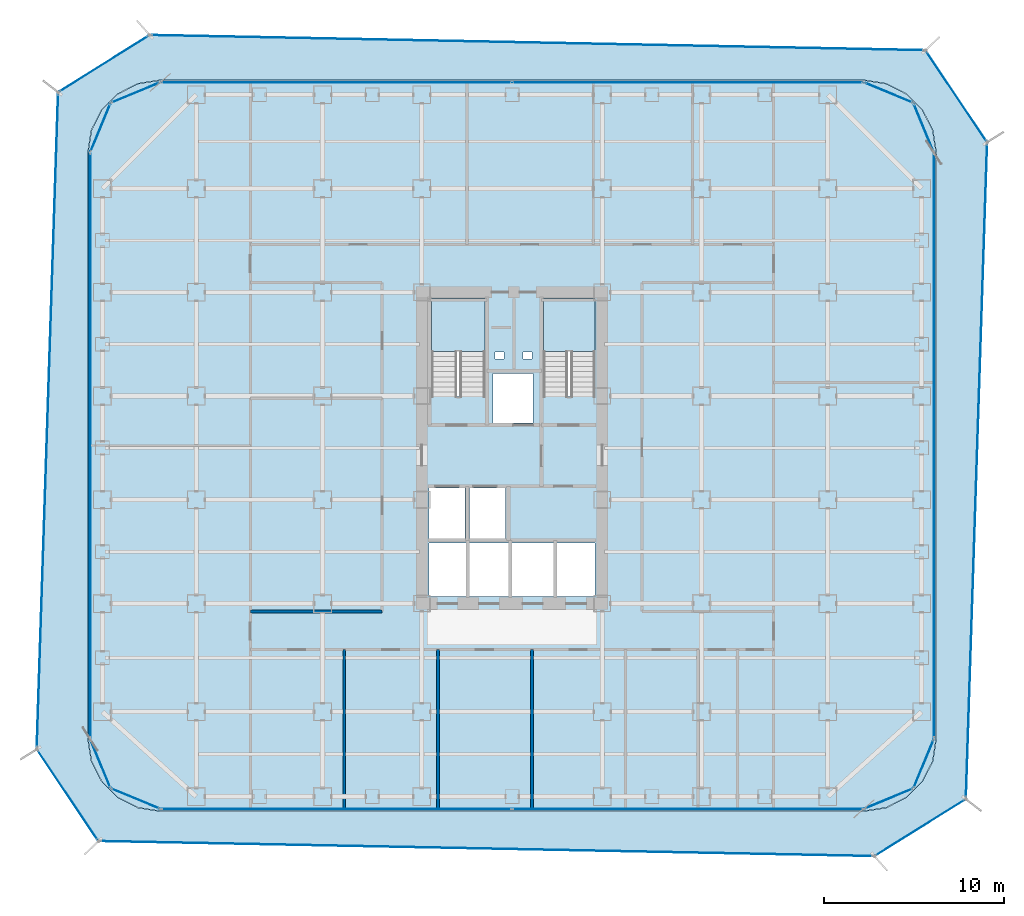
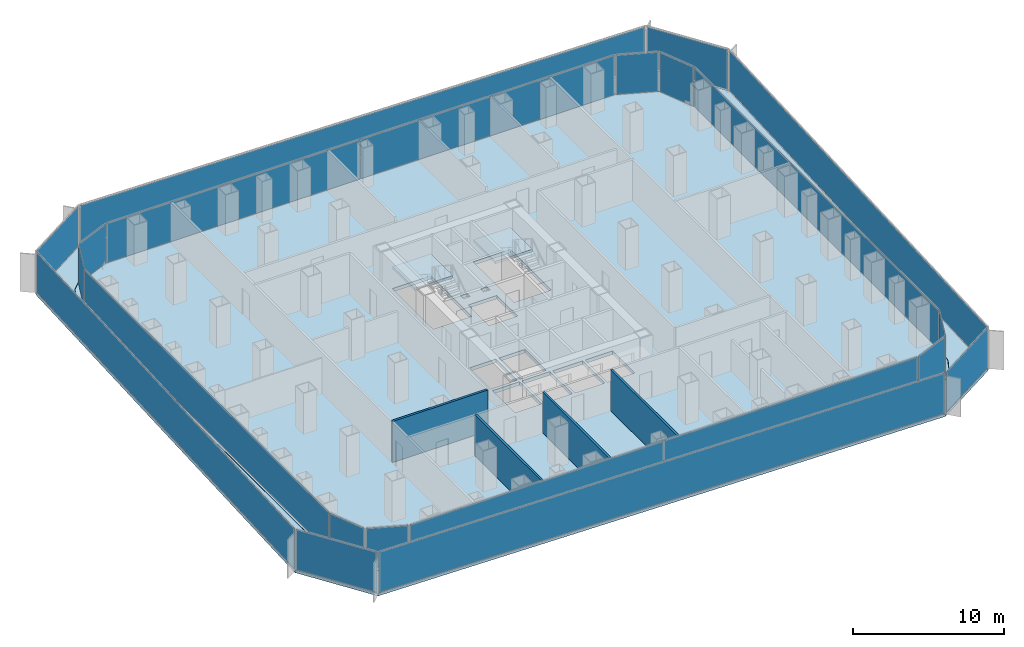
# One storey, part 16 of 22: 22 plates, 4 slabs, 4 walls, 22 elements without a shape of their own.
"""IFC4 building model written with IfcOpenShell, lengths in metres."""

from ifc_helpers import new_model, si_unit, direction, frame, frame_2d, origin, origin_2d, place, context, subcontext, project, spatial, polyline, rectangle, outline, extrude, source, transform, mapped, material, layer, layer_set, type_object, element, aggregate, save


model = new_model("IFC4")

# Units and contexts
model_context = context("Model", 3, precision=1e-05, world=origin(), true_north=direction((0.0, 1.0)))
body_context = subcontext(model_context, "Body", "Model", "MODEL_VIEW")
ifc_project = project(units=[si_unit("LENGTHUNIT", "METRE"), si_unit("AREAUNIT", "SQUARE_METRE"), si_unit("VOLUMEUNIT", "CUBIC_METRE"), si_unit("PLANEANGLEUNIT", "RADIAN"), si_unit("MASSUNIT", "GRAM", prefix="KILO")], contexts=[model_context])

# Site, building, storey
site_placement = place(None, origin())
site = spatial("IfcSite", under=ifc_project, at=site_placement, CompositionType="ELEMENT")
building_placement = place(site_placement, origin())
building = spatial("IfcBuilding", under=site, at=building_placement, Name="Kolveth Station Tower", CompositionType="ELEMENT")
storey_placement = place(building_placement, frame((0.0, 0.0, 51.300048828125)))
storey = spatial("IfcBuildingStorey", under=building, at=storey_placement, Name="L13", CompositionType="ELEMENT", Elevation=51.300048828125)

# Slab
ifc_material_1 = material(Name="Concrete C45/55", Category="concrete")
ifc_layer_1 = layer(ifc_material_1, 0.280029296875)
ifc_layer_set_1 = layer_set([ifc_layer_1], Name="Concrete C45/55")
slab_type_1 = type_object("IfcSlabType", Name="Slab_SF-280", PredefinedType="FLOOR", material=ifc_layer_set_1)
slab_1_placement = place(storey_placement, frame((0.0, 0.0, -0.280029296875)))
element("IfcSlab", 1, at=slab_1_placement, inside=storey, type_object=slab_type_1, Name="L13 Tower Structural Floor Slab", PredefinedType="FLOOR", context=body_context, shape_type="SweptSolid", body=[
    extrude(outline(polyline([(43.0, 0.0), (44.236083984375, 0.19580078125), (45.35107421875, 0.763916015625), (46.236083984375, 1.64892578125), (46.80419921875, 2.763916015625), (47.0, 4.0), (47.0, 36.5), (46.80419921875, 37.736083984375), (46.236083984375, 38.85107421875), (45.35107421875, 39.736083984375), (44.236083984375, 40.30419921875), (43.0, 40.5), (4.0, 40.5), (2.763916015625, 40.30419921875), (1.64892578125, 39.736083984375), (0.763916015625, 38.85107421875), (0.19580078125, 37.736083984375), (0.0, 36.5), (0.0, 4.0), (0.19580078125, 2.763916015625), (0.763916015625, 1.64892578125), (1.64892578125, 0.763916015625), (2.763916015625, 0.19580078125), (4.0, 0.0), (43.0, 0.0)]), holes=[polyline([(19.0400390625, 22.985107421875), (22.0, 22.985107421875), (22.0, 28.39990234375), (19.0400390625, 28.39990234375), (19.0400390625, 22.985107421875)]), polyline([(25.239990234375, 22.985107421875), (28.10009765625, 22.985107421875), (28.10009765625, 28.39990234375), (25.239990234375, 28.39990234375), (25.239990234375, 22.985107421875)]), polyline([(18.89990234375, 15.10009765625), (20.89990234375, 15.10009765625), (20.89990234375, 17.89990234375), (18.89990234375, 17.89990234375), (18.89990234375, 15.10009765625)]), polyline([(21.14990234375, 15.10009765625), (23.14990234375, 15.10009765625), (23.14990234375, 17.89990234375), (21.14990234375, 17.89990234375), (21.14990234375, 15.10009765625)]), polyline([(22.449951171875, 21.5), (24.64990234375, 21.5), (24.64990234375, 24.25), (22.449951171875, 24.25), (22.449951171875, 21.5)]), polyline([(18.89990234375, 11.89990234375), (20.949951171875, 11.89990234375), (20.949951171875, 14.85009765625), (18.89990234375, 14.85009765625), (18.89990234375, 11.89990234375)]), polyline([(21.14990234375, 11.89990234375), (23.300048828125, 11.89990234375), (23.300048828125, 14.85009765625), (21.14990234375, 14.85009765625), (21.14990234375, 11.89990234375)]), polyline([(23.5, 11.89990234375), (25.800048828125, 11.89990234375), (25.800048828125, 14.85009765625), (23.5, 14.85009765625), (23.5, 11.89990234375)]), polyline([(26.0, 11.89990234375), (28.10009765625, 11.89990234375), (28.10009765625, 14.85009765625), (26.0, 14.85009765625), (26.0, 11.89990234375)]), polyline([(22.550048828125, 25.050048828125), (23.050048828125, 25.050048828125), (23.050048828125, 25.449951171875), (22.550048828125, 25.449951171875), (22.550048828125, 25.050048828125)]), polyline([(24.10009765625, 25.050048828125), (24.60009765625, 25.050048828125), (24.60009765625, 25.449951171875), (24.10009765625, 25.449951171875), (24.10009765625, 25.050048828125)])]), origin(), (0.0, 0.0, 1.0), 0.280029296875),
])

# Stair, slab
ifc_material_2 = material(Name="Concrete C40/50", Category="concrete")
stair_type_1 = type_object("IfcStairType", Name="Stair_ST2", PredefinedType="HALF_TURN_STAIR", material=ifc_material_2)
stair_1_placement = place(storey_placement, origin())
stair_1 = element("IfcStair", 2, at=stair_1_placement, inside=storey, type_object=stair_type_1, Name="L13 Tower Exit Stair ST2", PredefinedType="HALF_TURN_STAIR")
ifc_layer_2 = layer(ifc_material_2, 0.18994140625)
ifc_layer_set_2 = layer_set([ifc_layer_2], Name="Concrete C40/50")
slab_type_2 = type_object("IfcSlabType", Name="Slab_SL-190", PredefinedType="LANDING", material=ifc_layer_set_2)
slab_2_placement = place(storey_placement, frame((0.0, 0.0, 1.599853515625)))
slab_2 = element("IfcSlab", 3, at=slab_2_placement, type_object=slab_type_2, Name="ST2 landing 1", PredefinedType="LANDING", context=body_context, shape_type="SweptSolid", body=[
    extrude(outline(polyline([(28.10009765625, 25.469970703125), (28.10009765625, 28.39990234375), (25.239990234375, 28.39990234375), (25.239990234375, 25.469970703125), (28.10009765625, 25.469970703125)])), origin(), (0.0, 0.0, 1.0), 0.2001953125),
])
aggregate(stair_1, [slab_2])

stair_type_2 = type_object("IfcStairType", Name="Stair_ST1", PredefinedType="HALF_TURN_STAIR", material=ifc_material_2)
stair_2_placement = place(storey_placement, origin())
stair_2 = element("IfcStair", 4, at=stair_2_placement, inside=storey, type_object=stair_type_2, Name="L13 Tower Exit Stair ST1", PredefinedType="HALF_TURN_STAIR")
ifc_layer_3 = layer(ifc_material_2, 0.205078125)
ifc_layer_set_3 = layer_set([ifc_layer_3], Name="Concrete C40/50")
slab_type_3 = type_object("IfcSlabType", Name="Slab_SL-205", PredefinedType="LANDING", material=ifc_layer_set_3)
slab_3_placement = place(storey_placement, frame((0.0, 0.0, 1.599853515625)))
slab_3 = element("IfcSlab", 5, at=slab_3_placement, type_object=slab_type_3, Name="ST1 landing 1", PredefinedType="LANDING", context=body_context, shape_type="SweptSolid", body=[
    extrude(outline(polyline([(22.0, 25.469970703125), (22.0, 28.39990234375), (19.0400390625, 28.39990234375), (19.0400390625, 25.469970703125), (22.0, 25.469970703125)])), origin(), (0.0, 0.0, 1.0), 0.2001953125),
])
aggregate(stair_2, [slab_3])

# Slab
ifc_layer_4 = layer(ifc_material_2, 0.2099609375)
ifc_layer_set_4 = layer_set([ifc_layer_4], Name="Concrete C40/50")
slab_type_4 = type_object("IfcSlabType", Name="Slab_ST-210", PredefinedType="FLOOR", material=ifc_layer_set_4)
slab_4_placement = place(storey_placement, frame((0.0, 0.0, -0.2099609375)))
element("IfcSlab", 6, at=slab_4_placement, inside=storey, type_object=slab_type_4, Name="L13 Double-Skin Cavity Structural Ledger Ring", PredefinedType="FLOOR", context=body_context, shape_type="SweptSolid", body=[
    extrude(outline(polyline([(0.583251953125, -1.665771484375), (-2.840087890625, 3.433837890625), (-1.652587890625, 39.835205078125), (3.416748046875, 43.005126953125), (46.414306640625, 42.16162109375), (49.833251953125, 37.065185546875), (48.654541015625, 0.663818359375), (43.58251953125, -2.49951171875), (0.583251953125, -1.665771484375)]), holes=[polyline([(43.002197265625, -0.014892578125), (44.23828125, 0.180908203125), (44.242919921875, 0.182373046875), (45.35791015625, 0.75048828125), (45.36181640625, 0.75341796875), (46.24658203125, 1.63818359375), (46.24951171875, 1.64208984375), (46.817626953125, 2.757080078125), (46.819091796875, 2.76171875), (47.014892578125, 3.997802734375), (47.014892578125, 4.0), (47.014892578125, 36.5), (47.014892578125, 36.502197265625), (46.819091796875, 37.73828125), (46.817626953125, 37.742919921875), (46.24951171875, 38.85791015625), (46.24658203125, 38.86181640625), (45.36181640625, 39.74658203125), (45.35791015625, 39.74951171875), (44.242919921875, 40.317626953125), (44.23828125, 40.319091796875), (43.002197265625, 40.514892578125), (43.0, 40.514892578125), (4.0, 40.514892578125), (3.997802734375, 40.514892578125), (2.76171875, 40.319091796875), (2.757080078125, 40.317626953125), (1.64208984375, 39.74951171875), (1.63818359375, 39.74658203125), (0.75341796875, 38.86181640625), (0.75048828125, 38.85791015625), (0.182373046875, 37.742919921875), (0.180908203125, 37.73828125), (-0.014892578125, 36.502197265625), (-0.014892578125, 36.5), (-0.014892578125, 4.0), (-0.014892578125, 3.997802734375), (0.180908203125, 2.76171875), (0.182373046875, 2.757080078125), (0.75048828125, 1.64208984375), (0.75341796875, 1.63818359375), (1.63818359375, 0.75341796875), (1.64208984375, 0.75048828125), (2.757080078125, 0.182373046875), (2.76171875, 0.180908203125), (3.997802734375, -0.014892578125), (4.0, -0.014892578125), (43.0, -0.014892578125), (43.002197265625, -0.014892578125)])]), origin(), (0.0, 0.0, 1.0), 0.2099609375),
])

# Curtain wall, plate
ifc_material_3 = material(Name="Aluminium 6063-T6 and low-E dark glass", Category="aluminium")
ifc_layer_5 = layer(ifc_material_3, 0.179931640625)
ifc_layer_set_5 = layer_set([ifc_layer_5], Name="Aluminium 6063-T6 and low-E dark glass")
curtain_wall_type_1 = type_object("IfcCurtainWallType", Name="CurtainWall_CW-Z1", PredefinedType="NOTDEFINED", material=ifc_layer_set_5)
curtain_wall_1_placement = place(storey_placement, origin())
curtain_wall_1 = element("IfcCurtainWall", 7, at=curtain_wall_1_placement, inside=storey, type_object=curtain_wall_type_1, Name="L13 Inner Thermal Curtain Wall 1", PredefinedType="NOTDEFINED")
ifc_material_4 = material(Name="Architectural low-E dark glass", Category="glass")
ifc_layer_6 = layer(ifc_material_4, 0.035888671875)
ifc_layer_set_6 = layer_set([ifc_layer_6], Name="Architectural low-E dark glass")
plate_type_1 = type_object("IfcPlateType", Name="Panel_GL1", PredefinedType="CURTAIN_PANEL", material=ifc_layer_set_6)
shared_shape_1 = source(origin(), body_context, "Body", "SweptSolid", [
    extrude(rectangle(XDim=2.83349609375, YDim=0.035888671875, at=origin_2d()), origin(), (0.0, 0.0, 1.0), 3.18408203125),
])
plate_1_placement = place(storey_placement, frame((44.371826171875, 0.688232421875, 0.06787109375), z_axis=(0.0, 0.0, 1.0), x_axis=(0.923883857728, 0.382672990201, 0.0)))
plate_1 = element("IfcPlate", 8, at=plate_1_placement, type_object=plate_type_1, Name="CW-Z1 panel 1.1", PredefinedType="CURTAIN_PANEL", context=body_context, shape_type="MappedRepresentation", body=[
    mapped(shared_shape_1, transform((0.0, 0.0, 0.0), x_axis=(1.0, 0.0, 0.0), y_axis=(0.0, 1.0, 0.0), z_axis=(0.0, 0.0, 1.0), scale=1.0)),
])
aggregate(curtain_wall_1, [plate_1])

curtain_wall_2_placement = place(storey_placement, origin())
curtain_wall_2 = element("IfcCurtainWall", 9, at=curtain_wall_2_placement, inside=storey, type_object=curtain_wall_type_1, Name="L13 Inner Thermal Curtain Wall 2", PredefinedType="NOTDEFINED")
plate_2_placement = place(storey_placement, frame((46.311767578125, 2.628173828125, 0.06787109375), z_axis=(0.0, 0.0, 1.0), x_axis=(0.382672990201, 0.923883857728, 0.0)))
plate_2 = element("IfcPlate", 10, at=plate_2_placement, type_object=plate_type_1, Name="CW-Z1 panel 1.1", PredefinedType="CURTAIN_PANEL", context=body_context, shape_type="MappedRepresentation", body=[
    mapped(shared_shape_1, transform((0.0, 0.0, 0.0), x_axis=(1.0, 0.0, 0.0), y_axis=(0.0, 1.0, 0.0), z_axis=(0.0, 0.0, 1.0), scale=1.0)),
])
aggregate(curtain_wall_2, [plate_2])

curtain_wall_3_placement = place(storey_placement, origin())
curtain_wall_3 = element("IfcCurtainWall", 11, at=curtain_wall_3_placement, inside=storey, type_object=curtain_wall_type_1, Name="L13 Inner Thermal Curtain Wall 4", PredefinedType="NOTDEFINED")
plate_3_placement = place(storey_placement, frame((46.311767578125, 37.871826171875, 0.06787109375), z_axis=(0.0, 0.0, 1.0), x_axis=(-0.382672990201, 0.923883857728, 0.0)))
plate_3 = element("IfcPlate", 12, at=plate_3_placement, type_object=plate_type_1, Name="CW-Z1 panel 1.1", PredefinedType="CURTAIN_PANEL", context=body_context, shape_type="MappedRepresentation", body=[
    mapped(shared_shape_1, transform((0.0, 0.0, 0.0), x_axis=(1.0, 0.0, 0.0), y_axis=(0.0, 1.0, 0.0), z_axis=(0.0, 0.0, 1.0), scale=1.0)),
])
aggregate(curtain_wall_3, [plate_3])

curtain_wall_4_placement = place(storey_placement, origin())
curtain_wall_4 = element("IfcCurtainWall", 13, at=curtain_wall_4_placement, inside=storey, type_object=curtain_wall_type_1, Name="L13 Inner Thermal Curtain Wall 5", PredefinedType="NOTDEFINED")
plate_4_placement = place(storey_placement, frame((44.371826171875, 39.811767578125, 0.06787109375), z_axis=(0.0, 0.0, 1.0), x_axis=(-0.923883857728, 0.382672990201, 0.0)))
plate_4 = element("IfcPlate", 14, at=plate_4_placement, type_object=plate_type_1, Name="CW-Z1 panel 1.1", PredefinedType="CURTAIN_PANEL", context=body_context, shape_type="MappedRepresentation", body=[
    mapped(shared_shape_1, transform((0.0, 0.0, 0.0), x_axis=(1.0, 0.0, 0.0), y_axis=(0.0, 1.0, 0.0), z_axis=(0.0, 0.0, 1.0), scale=1.0)),
])
aggregate(curtain_wall_4, [plate_4])

curtain_wall_5_placement = place(storey_placement, origin())
curtain_wall_5 = element("IfcCurtainWall", 15, at=curtain_wall_5_placement, inside=storey, type_object=curtain_wall_type_1, Name="L13 Inner Thermal Curtain Wall 7", PredefinedType="NOTDEFINED")
plate_5_placement = place(storey_placement, frame((2.628173828125, 39.811767578125, 0.06787109375), z_axis=(0.0, 0.0, 1.0), x_axis=(-0.923883857728, -0.382672990201, 0.0)))
plate_5 = element("IfcPlate", 16, at=plate_5_placement, type_object=plate_type_1, Name="CW-Z1 panel 1.1", PredefinedType="CURTAIN_PANEL", context=body_context, shape_type="MappedRepresentation", body=[
    mapped(shared_shape_1, transform((0.0, 0.0, 0.0), x_axis=(1.0, 0.0, 0.0), y_axis=(0.0, 1.0, 0.0), z_axis=(0.0, 0.0, 1.0), scale=1.0)),
])
aggregate(curtain_wall_5, [plate_5])

curtain_wall_6_placement = place(storey_placement, origin())
curtain_wall_6 = element("IfcCurtainWall", 17, at=curtain_wall_6_placement, inside=storey, type_object=curtain_wall_type_1, Name="L13 Inner Thermal Curtain Wall 8", PredefinedType="NOTDEFINED")
plate_6_placement = place(storey_placement, frame((0.688232421875, 37.871826171875, 0.06787109375), z_axis=(0.0, 0.0, 1.0), x_axis=(-0.382672990201, -0.923883857728, 0.0)))
plate_6 = element("IfcPlate", 18, at=plate_6_placement, type_object=plate_type_1, Name="CW-Z1 panel 1.1", PredefinedType="CURTAIN_PANEL", context=body_context, shape_type="MappedRepresentation", body=[
    mapped(shared_shape_1, transform((0.0, 0.0, 0.0), x_axis=(1.0, 0.0, 0.0), y_axis=(0.0, 1.0, 0.0), z_axis=(0.0, 0.0, 1.0), scale=1.0)),
])
aggregate(curtain_wall_6, [plate_6])

curtain_wall_7_placement = place(storey_placement, origin())
curtain_wall_7 = element("IfcCurtainWall", 19, at=curtain_wall_7_placement, inside=storey, type_object=curtain_wall_type_1, Name="L13 Inner Thermal Curtain Wall 10", PredefinedType="NOTDEFINED")
plate_7_placement = place(storey_placement, frame((0.688232421875, 2.628173828125, 0.06787109375), z_axis=(0.0, 0.0, 1.0), x_axis=(0.382672990201, -0.923883857728, 0.0)))
plate_7 = element("IfcPlate", 20, at=plate_7_placement, type_object=plate_type_1, Name="CW-Z1 panel 1.1", PredefinedType="CURTAIN_PANEL", context=body_context, shape_type="MappedRepresentation", body=[
    mapped(shared_shape_1, transform((0.0, 0.0, 0.0), x_axis=(1.0, 0.0, 0.0), y_axis=(0.0, 1.0, 0.0), z_axis=(0.0, 0.0, 1.0), scale=1.0)),
])
aggregate(curtain_wall_7, [plate_7])

curtain_wall_8_placement = place(storey_placement, origin())
curtain_wall_8 = element("IfcCurtainWall", 21, at=curtain_wall_8_placement, inside=storey, type_object=curtain_wall_type_1, Name="L13 Inner Thermal Curtain Wall 11", PredefinedType="NOTDEFINED")
plate_8_placement = place(storey_placement, frame((2.628173828125, 0.688232421875, 0.06787109375), z_axis=(0.0, 0.0, 1.0), x_axis=(0.923883857728, -0.382672990201, 0.0)))
plate_8 = element("IfcPlate", 22, at=plate_8_placement, type_object=plate_type_1, Name="CW-Z1 panel 1.1", PredefinedType="CURTAIN_PANEL", context=body_context, shape_type="MappedRepresentation", body=[
    mapped(shared_shape_1, transform((0.0, 0.0, 0.0), x_axis=(1.0, 0.0, 0.0), y_axis=(0.0, 1.0, 0.0), z_axis=(0.0, 0.0, 1.0), scale=1.0)),
])
aggregate(curtain_wall_8, [plate_8])

curtain_wall_9_placement = place(storey_placement, origin())
curtain_wall_9 = element("IfcCurtainWall", 23, at=curtain_wall_9_placement, inside=storey, type_object=curtain_wall_type_1, Name="L13 Inner Thermal Curtain Wall 3", PredefinedType="NOTDEFINED")
shared_shape_2 = source(origin(), body_context, "Body", "SweptSolid", [
    extrude(rectangle(XDim=32.364013671875, YDim=0.035888671875, at=origin_2d()), origin(), (0.0, 0.0, 1.0), 3.18408203125),
])
plate_9_placement = place(storey_placement, frame((46.8798828125, 20.25, 0.06787109375), z_axis=(0.0, 0.0, 1.0), x_axis=(0.0, 1.0, 0.0)))
plate_9 = element("IfcPlate", 24, at=plate_9_placement, type_object=plate_type_1, Name="CW-Z1 panel 1.1", PredefinedType="CURTAIN_PANEL", context=body_context, shape_type="MappedRepresentation", body=[
    mapped(shared_shape_2, transform((0.0, 0.0, 0.0), x_axis=(1.0, 0.0, 0.0), y_axis=(0.0, 1.0, 0.0), z_axis=(0.0, 0.0, 1.0), scale=1.0)),
])
aggregate(curtain_wall_9, [plate_9])

curtain_wall_10_placement = place(storey_placement, origin())
curtain_wall_10 = element("IfcCurtainWall", 25, at=curtain_wall_10_placement, inside=storey, type_object=curtain_wall_type_1, Name="L13 Inner Thermal Curtain Wall 9", PredefinedType="NOTDEFINED")
plate_10_placement = place(storey_placement, frame((0.1201171875, 20.25, 0.06787109375), z_axis=(0.0, 0.0, 1.0), x_axis=(0.0, -1.0, 0.0)))
plate_10 = element("IfcPlate", 26, at=plate_10_placement, type_object=plate_type_1, Name="CW-Z1 panel 1.1", PredefinedType="CURTAIN_PANEL", context=body_context, shape_type="MappedRepresentation", body=[
    mapped(shared_shape_2, transform((0.0, 0.0, 0.0), x_axis=(1.0, 0.0, 0.0), y_axis=(0.0, 1.0, 0.0), z_axis=(0.0, 0.0, 1.0), scale=1.0)),
])
aggregate(curtain_wall_10, [plate_10])

# Curtain wall, plates
curtain_wall_11_placement = place(storey_placement, origin())
curtain_wall_11 = element("IfcCurtainWall", 27, at=curtain_wall_11_placement, inside=storey, type_object=curtain_wall_type_1, Name="L13 Inner Thermal Curtain Wall 6", PredefinedType="NOTDEFINED")
shared_shape_3 = source(origin(), body_context, "Body", "SweptSolid", [
    extrude(rectangle(XDim=19.401611328125, YDim=0.035888671875, at=origin_2d()), origin(), (0.0, 0.0, 1.0), 3.18408203125),
])
plate_11_placement = place(storey_placement, frame((33.231201171875, 40.3798828125, 0.06787109375), z_axis=(0.0, 0.0, 1.0), x_axis=(-1.0, 0.0, 0.0)))
plate_11 = element("IfcPlate", 28, at=plate_11_placement, type_object=plate_type_1, Name="CW-Z1 panel 1.1", PredefinedType="CURTAIN_PANEL", context=body_context, shape_type="MappedRepresentation", body=[
    mapped(shared_shape_3, transform((0.0, 0.0, 0.0), x_axis=(1.0, 0.0, 0.0), y_axis=(0.0, 1.0, 0.0), z_axis=(0.0, 0.0, 1.0), scale=1.0)),
])
plate_12_placement = place(storey_placement, frame((13.768798828125, 40.3798828125, 0.06787109375), z_axis=(0.0, 0.0, 1.0), x_axis=(-1.0, 0.0, 0.0)))
plate_12 = element("IfcPlate", 29, at=plate_12_placement, type_object=plate_type_1, Name="CW-Z1 panel 2.1", PredefinedType="CURTAIN_PANEL", context=body_context, shape_type="MappedRepresentation", body=[
    mapped(shared_shape_3, transform((0.0, 0.0, 0.0), x_axis=(1.0, 0.0, 0.0), y_axis=(0.0, 1.0, 0.0), z_axis=(0.0, 0.0, 1.0), scale=1.0)),
])
aggregate(curtain_wall_11, [plate_11, plate_12])

curtain_wall_12_placement = place(storey_placement, origin())
curtain_wall_12 = element("IfcCurtainWall", 30, at=curtain_wall_12_placement, inside=storey, type_object=curtain_wall_type_1, Name="L13 Inner Thermal Curtain Wall 12", PredefinedType="NOTDEFINED")
plate_13_placement = place(storey_placement, frame((13.768798828125, 0.1201171875, 0.06787109375), z_axis=(0.0, 0.0, 1.0), x_axis=(1.0, 0.0, 0.0)))
plate_13 = element("IfcPlate", 31, at=plate_13_placement, type_object=plate_type_1, Name="CW-Z1 panel 1.1", PredefinedType="CURTAIN_PANEL", context=body_context, shape_type="MappedRepresentation", body=[
    mapped(shared_shape_3, transform((0.0, 0.0, 0.0), x_axis=(1.0, 0.0, 0.0), y_axis=(0.0, 1.0, 0.0), z_axis=(0.0, 0.0, 1.0), scale=1.0)),
])
plate_14_placement = place(storey_placement, frame((33.231201171875, 0.1201171875, 0.06787109375), z_axis=(0.0, 0.0, 1.0), x_axis=(1.0, 0.0, 0.0)))
plate_14 = element("IfcPlate", 32, at=plate_14_placement, type_object=plate_type_1, Name="CW-Z1 panel 2.1", PredefinedType="CURTAIN_PANEL", context=body_context, shape_type="MappedRepresentation", body=[
    mapped(shared_shape_3, transform((0.0, 0.0, 0.0), x_axis=(1.0, 0.0, 0.0), y_axis=(0.0, 1.0, 0.0), z_axis=(0.0, 0.0, 1.0), scale=1.0)),
])
aggregate(curtain_wall_12, [plate_13, plate_14])

# Curtain wall, plate
ifc_material_5 = material(Name="Black anodized aluminium 6063-T6 and dark solar glass", Category="aluminium")
ifc_layer_7 = layer(ifc_material_5, 0.159912109375)
ifc_layer_set_7 = layer_set([ifc_layer_7], Name="Black anodized aluminium 6063-T6 and dark solar glass")
curtain_wall_type_2 = type_object("IfcCurtainWallType", Name="OUTER SKIN CW-OS", PredefinedType="NOTDEFINED", material=ifc_layer_set_7)
curtain_wall_13_placement = place(storey_placement, origin())
curtain_wall_13 = element("IfcCurtainWall", 33, at=curtain_wall_13_placement, inside=storey, type_object=curtain_wall_type_2, Name="L13 Outer Ventilated Skin Curtain Wall 1", PredefinedType="NOTDEFINED")
ifc_layer_8 = layer(ifc_material_4, 0.028076171875)
ifc_layer_set_8 = layer_set([ifc_layer_8], Name="Architectural low-E dark glass")
plate_type_2 = type_object("IfcPlateType", Name="Panel_GL-OS", PredefinedType="CURTAIN_PANEL", material=ifc_layer_set_8)
shared_shape_4 = source(origin(), body_context, "Body", "SweptSolid", [
    extrude(rectangle(XDim=5.811767578125, YDim=0.028076171875, at=origin_2d()), origin(), (0.0, 0.0, 1.0), 3.243896484375),
])
plate_15_placement = place(storey_placement, frame((46.118408203125, -0.917724609375, 0.0732421875), z_axis=(0.0, 0.0, 1.0), x_axis=(0.848506359463, 0.529185183042, 0.0)))
plate_15 = element("IfcPlate", 34, at=plate_15_placement, type_object=plate_type_2, Name="CW-OS panel 1.1", PredefinedType="CURTAIN_PANEL", context=body_context, shape_type="MappedRepresentation", body=[
    mapped(shared_shape_4, transform((0.0, 0.0, 0.0), x_axis=(1.0, 0.0, 0.0), y_axis=(0.0, 1.0, 0.0), z_axis=(0.0, 0.0, 1.0), scale=1.0)),
])
aggregate(curtain_wall_13, [plate_15])

curtain_wall_14_placement = place(storey_placement, origin())
curtain_wall_14 = element("IfcCurtainWall", 35, at=curtain_wall_14_placement, inside=storey, type_object=curtain_wall_type_2, Name="L13 Outer Ventilated Skin Curtain Wall 2", PredefinedType="NOTDEFINED")
shared_shape_5 = source(origin(), body_context, "Body", "SweptSolid", [
    extrude(rectangle(XDim=36.25439453125, YDim=0.028076171875, at=origin_2d()), origin(), (0.0, 0.0, 1.0), 3.243896484375),
])
plate_16_placement = place(storey_placement, frame((49.243896484375, 18.864501953125, 0.0732421875), z_axis=(0.0, 0.0, 1.0), x_axis=(0.032366403277, 0.999476070719, 0.0)))
plate_16 = element("IfcPlate", 36, at=plate_16_placement, type_object=plate_type_2, Name="CW-OS panel 1.1", PredefinedType="CURTAIN_PANEL", context=body_context, shape_type="MappedRepresentation", body=[
    mapped(shared_shape_5, transform((0.0, 0.0, 0.0), x_axis=(1.0, 0.0, 0.0), y_axis=(0.0, 1.0, 0.0), z_axis=(0.0, 0.0, 1.0), scale=1.0)),
])
aggregate(curtain_wall_14, [plate_16])

curtain_wall_15_placement = place(storey_placement, origin())
curtain_wall_15 = element("IfcCurtainWall", 37, at=curtain_wall_15_placement, inside=storey, type_object=curtain_wall_type_2, Name="L13 Outer Ventilated Skin Curtain Wall 3", PredefinedType="NOTDEFINED")
shared_shape_6 = source(origin(), body_context, "Body", "SweptSolid", [
    extrude(rectangle(XDim=5.970947265625, YDim=0.028076171875, at=origin_2d()), origin(), (0.0, 0.0, 1.0), 3.243896484375),
])
plate_17_placement = place(storey_placement, frame((48.123779296875, 39.613525390625, 0.0732421875), z_axis=(0.0, 0.0, 1.0), x_axis=(-0.557100730033, 0.83044492689, 0.0)))
plate_17 = element("IfcPlate", 38, at=plate_17_placement, type_object=plate_type_2, Name="CW-OS panel 1.1", PredefinedType="CURTAIN_PANEL", context=body_context, shape_type="MappedRepresentation", body=[
    mapped(shared_shape_6, transform((0.0, 0.0, 0.0), x_axis=(1.0, 0.0, 0.0), y_axis=(0.0, 1.0, 0.0), z_axis=(0.0, 0.0, 1.0), scale=1.0)),
])
aggregate(curtain_wall_15, [plate_17])

curtain_wall_16_placement = place(storey_placement, origin())
curtain_wall_16 = element("IfcCurtainWall", 39, at=curtain_wall_16_placement, inside=storey, type_object=curtain_wall_type_2, Name="L13 Outer Ventilated Skin Curtain Wall 4", PredefinedType="NOTDEFINED")
shared_shape_7 = source(origin(), body_context, "Body", "SweptSolid", [
    extrude(rectangle(XDim=42.83984375, YDim=0.028076171875, at=origin_2d()), origin(), (0.0, 0.0, 1.0), 3.243896484375),
])
plate_18_placement = place(storey_placement, frame((24.91552734375, 42.58349609375, 0.0732421875), z_axis=(0.0, 0.0, 1.0), x_axis=(-0.99980763484, 0.019613600295, 0.0)))
plate_18 = element("IfcPlate", 40, at=plate_18_placement, type_object=plate_type_2, Name="CW-OS panel 1.1", PredefinedType="CURTAIN_PANEL", context=body_context, shape_type="MappedRepresentation", body=[
    mapped(shared_shape_7, transform((0.0, 0.0, 0.0), x_axis=(1.0, 0.0, 0.0), y_axis=(0.0, 1.0, 0.0), z_axis=(0.0, 0.0, 1.0), scale=1.0)),
])
aggregate(curtain_wall_16, [plate_18])

curtain_wall_17_placement = place(storey_placement, origin())
curtain_wall_17 = element("IfcCurtainWall", 41, at=curtain_wall_17_placement, inside=storey, type_object=curtain_wall_type_2, Name="L13 Outer Ventilated Skin Curtain Wall 5", PredefinedType="NOTDEFINED")
shared_shape_8 = source(origin(), body_context, "Body", "SweptSolid", [
    extrude(rectangle(XDim=5.81298828125, YDim=0.028076171875, at=origin_2d()), origin(), (0.0, 0.0, 1.0), 3.243896484375),
])
plate_19_placement = place(storey_placement, frame((0.882080078125, 41.420166015625, 0.0732421875), z_axis=(0.0, 0.0, 1.0), x_axis=(-0.847873312815, -0.530198873457, 0.0)))
plate_19 = element("IfcPlate", 42, at=plate_19_placement, type_object=plate_type_2, Name="CW-OS panel 1.1", PredefinedType="CURTAIN_PANEL", context=body_context, shape_type="MappedRepresentation", body=[
    mapped(shared_shape_8, transform((0.0, 0.0, 0.0), x_axis=(1.0, 0.0, 0.0), y_axis=(0.0, 1.0, 0.0), z_axis=(0.0, 0.0, 1.0), scale=1.0)),
])
aggregate(curtain_wall_17, [plate_19])

curtain_wall_18_placement = place(storey_placement, origin())
curtain_wall_18 = element("IfcCurtainWall", 43, at=curtain_wall_18_placement, inside=storey, type_object=curtain_wall_type_2, Name="L13 Outer Ventilated Skin Curtain Wall 6", PredefinedType="NOTDEFINED")
shared_shape_9 = source(origin(), body_context, "Body", "SweptSolid", [
    extrude(rectangle(XDim=36.254638671875, YDim=0.028076171875, at=origin_2d()), origin(), (0.0, 0.0, 1.0), 3.243896484375),
])
plate_20_placement = place(storey_placement, frame((-2.246337890625, 21.634521484375, 0.0732421875), z_axis=(0.0, 0.0, 1.0), x_axis=(-0.03259963076, -0.999468490786, 0.0)))
plate_20 = element("IfcPlate", 44, at=plate_20_placement, type_object=plate_type_2, Name="CW-OS panel 1.1", PredefinedType="CURTAIN_PANEL", context=body_context, shape_type="MappedRepresentation", body=[
    mapped(shared_shape_9, transform((0.0, 0.0, 0.0), x_axis=(1.0, 0.0, 0.0), y_axis=(0.0, 1.0, 0.0), z_axis=(0.0, 0.0, 1.0), scale=1.0)),
])
aggregate(curtain_wall_18, [plate_20])

curtain_wall_19_placement = place(storey_placement, origin())
curtain_wall_19 = element("IfcCurtainWall", 45, at=curtain_wall_19_placement, inside=storey, type_object=curtain_wall_type_2, Name="L13 Outer Ventilated Skin Curtain Wall 7", PredefinedType="NOTDEFINED")
shared_shape_10 = source(origin(), body_context, "Body", "SweptSolid", [
    extrude(rectangle(XDim=5.97607421875, YDim=0.028076171875, at=origin_2d()), origin(), (0.0, 0.0, 1.0), 3.243896484375),
])
plate_21_placement = place(storey_placement, frame((-1.12841796875, 0.884033203125, 0.0732421875), z_axis=(0.0, 0.0, 1.0), x_axis=(0.557342483194, -0.830282696692, 0.0)))
plate_21 = element("IfcPlate", 46, at=plate_21_placement, type_object=plate_type_2, Name="CW-OS panel 1.1", PredefinedType="CURTAIN_PANEL", context=body_context, shape_type="MappedRepresentation", body=[
    mapped(shared_shape_10, transform((0.0, 0.0, 0.0), x_axis=(1.0, 0.0, 0.0), y_axis=(0.0, 1.0, 0.0), z_axis=(0.0, 0.0, 1.0), scale=1.0)),
])
aggregate(curtain_wall_19, [plate_21])

curtain_wall_20_placement = place(storey_placement, origin())
curtain_wall_20 = element("IfcCurtainWall", 47, at=curtain_wall_20_placement, inside=storey, type_object=curtain_wall_type_2, Name="L13 Outer Ventilated Skin Curtain Wall 8", PredefinedType="NOTDEFINED")
shared_shape_11 = source(origin(), body_context, "Body", "SweptSolid", [
    extrude(rectangle(XDim=42.84130859375, YDim=0.028076171875, at=origin_2d()), origin(), (0.0, 0.0, 1.0), 3.243896484375),
])
plate_22_placement = place(storey_placement, frame((22.082763671875, -2.08251953125, 0.0732421875), z_axis=(0.0, 0.0, 1.0), x_axis=(0.99981213656, -0.019382765192, 0.0)))
plate_22 = element("IfcPlate", 48, at=plate_22_placement, type_object=plate_type_2, Name="CW-OS panel 1.1", PredefinedType="CURTAIN_PANEL", context=body_context, shape_type="MappedRepresentation", body=[
    mapped(shared_shape_11, transform((0.0, 0.0, 0.0), x_axis=(1.0, 0.0, 0.0), y_axis=(0.0, 1.0, 0.0), z_axis=(0.0, 0.0, 1.0), scale=1.0)),
])
aggregate(curtain_wall_20, [plate_22])

# Walls
ifc_material_6 = material(Name="Acoustic double-stud gypsum partition")
ifc_layer_9 = layer(ifc_material_6, 0.1650390625)
ifc_layer_set_9 = layer_set([ifc_layer_9], Name="Acoustic double-stud gypsum partition")
wall_type = type_object("IfcWallType", Name="Wall_IW-165", PredefinedType="PARTITIONING", material=ifc_layer_set_9)
wall_placement = place(storey_placement, frame((9.0, 11.050048828125, 0.0), z_axis=(0.0, 0.0, 1.0), x_axis=(1.0, 0.0, 0.0)))
element("IfcWall", 49, at=wall_placement, inside=storey, type_object=wall_type, Name="L13 Partition Wall WL-L13-OSWT", PredefinedType="PARTITIONING", context=body_context, shape_type="SweptSolid", body=[
    extrude(rectangle(XDim=7.300048828125, YDim=0.1650390625, at=frame_2d((3.64990234375, 0.0))), origin(), (0.0, 0.0, 1.0), 3.320068359375),
])
for number, where, z_axis, x_axis, name in (
    (50, (14.199951171875, 0.159912109375, 0.0), (0.0, 0.0, 1.0), (0.0, 1.0, 0.0), "L13 Partition Wall WL-L13-OS-P1"),
    (51, (19.39990234375, 0.159912109375, 0.0), (0.0, 0.0, 1.0), (0.0, 1.0, 0.0), "L13 Partition Wall WL-L13-OS-P2"),
    (52, (24.60009765625, 0.159912109375, 0.0), (0.0, 0.0, 1.0), (0.0, 1.0, 0.0), "L13 Partition Wall WL-L13-OS-P3"),
):
    element("IfcWall", number, at=place(storey_placement, frame(where, z_axis=z_axis, x_axis=x_axis)), inside=storey, type_object=wall_type, Name=name, PredefinedType="PARTITIONING", context=body_context, shape_type="SweptSolid", body=[
        extrude(rectangle(XDim=8.7900390625, YDim=0.1650390625, at=frame_2d((4.39501953125, 0.0))), origin(), (0.0, 0.0, 1.0), 3.320068359375),
    ])

save(model, "model.ifc")
